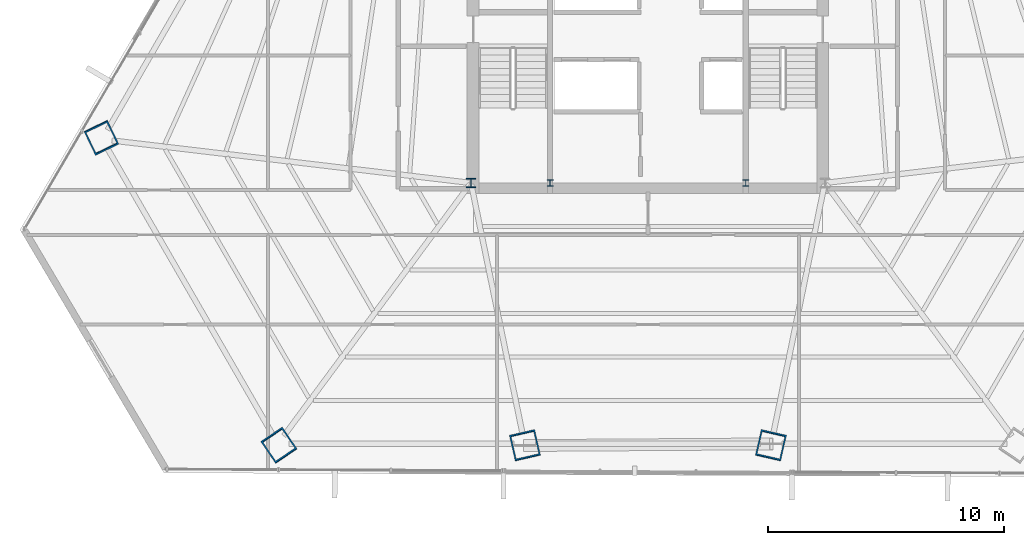
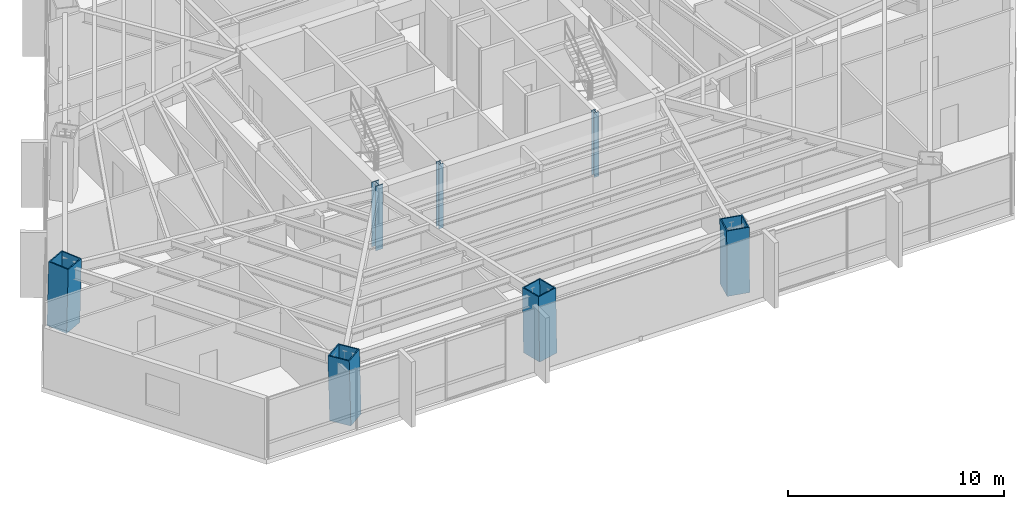
# One storey, part 1 of 37: 7 columns.
"""IFC4 building model written with IfcOpenShell, lengths in metres."""

from ifc_helpers import new_model, si_unit, direction, frame, origin, origin_2d, place, context, subcontext, project, spatial, hollow_rectangle, i_section, extrude, source, transform, mapped, material, material_profile, profile_set, type_object, type_shapes, element, save


model = new_model("IFC4")

# Units and contexts
model_context = context("Model", 3, precision=1e-05, world=origin(), true_north=direction((0.0, 1.0)))
body_context = subcontext(model_context, "Body", "Model", "MODEL_VIEW")
ifc_project = project(units=[si_unit("LENGTHUNIT", "METRE"), si_unit("AREAUNIT", "SQUARE_METRE"), si_unit("VOLUMEUNIT", "CUBIC_METRE"), si_unit("PLANEANGLEUNIT", "RADIAN"), si_unit("MASSUNIT", "GRAM", prefix="KILO")], contexts=[model_context])

# Site, building, storey
site_placement = place(None, origin())
site = spatial("IfcSite", under=ifc_project, at=site_placement, CompositionType="ELEMENT")
building_placement = place(site_placement, origin())
building = spatial("IfcBuilding", under=site, at=building_placement, Name="Caelisora Broadcast Tower", CompositionType="ELEMENT")
storey_placement = place(building_placement, frame((0.0, 0.0, 101.75)))
storey = spatial("IfcBuildingStorey", under=building, at=storey_placement, Name="L26", CompositionType="ELEMENT", Elevation=101.75)

# Columns
ifc_material_1 = material(Name="Steel Grade 350 (AS/NZS 3679.1)", Category="steel")
ifc_material_profile_1 = material_profile(ifc_material_1, i_section(OverallWidth=0.256103515625, OverallDepth=0.260009765625, WebThickness=0.010498046875, FlangeThickness=0.017333984375, at=origin_2d()), Name="Steel Grade 350 (AS/NZS 3679.1)")
ifc_profile_set_1 = profile_set([ifc_material_profile_1], Name="Steel Grade 350 (AS/NZS 3679.1)")
column_type_1 = type_object("IfcColumnType", Name="CC05", PredefinedType="COLUMN", material=ifc_profile_set_1)
shared_shape_1 = source(origin(), body_context, "Body", "SweptSolid", [
    extrude(i_section(OverallWidth=0.256103515625, OverallDepth=0.260009765625, WebThickness=0.010498046875, FlangeThickness=0.017333984375, at=origin_2d()), origin(), (0.0, 0.0, 1.0), 3.64990234375),
])
type_shapes(column_type_1, [shared_shape_1])
for number, where, z_axis, x_axis, name in (
    (1, (33.85009765625, 17.39990234375, 0.0), (0.0, 0.0, 1.0), (1.0, 0.0, 0.0), "L26 column CC05"),
    (2, (42.14990234375, 17.39990234375, 0.0), (0.0, 0.0, 1.0), (1.0, 0.0, 0.0), "L26 column CC05"),
):
    element("IfcColumn", number, at=place(storey_placement, frame(where, z_axis=z_axis, x_axis=x_axis)), inside=storey, type_object=column_type_1, Name=name, PredefinedType="COLUMN", context=body_context, shape_type="MappedRepresentation", body=[
        mapped(shared_shape_1, transform((0.0, 0.0, 0.0), scale=1.0)),
    ])
ifc_material_2 = material(Name="Steel Grade 350 (AS/NZS 3679.2)", Category="steel")
ifc_material_profile_2 = material_profile(ifc_material_2, i_section(OverallWidth=0.39990234375, OverallDepth=0.39990234375, WebThickness=0.02001953125, FlangeThickness=0.031982421875, at=origin_2d()), Name="Steel Grade 350 (AS/NZS 3679.2)")
ifc_profile_set_2 = profile_set([ifc_material_profile_2], Name="Steel Grade 350 (AS/NZS 3679.2)")
column_type_2 = type_object("IfcColumnType", Name="CC02", PredefinedType="COLUMN", material=ifc_profile_set_2)
shared_shape_2 = source(origin(), body_context, "Body", "SweptSolid", [
    extrude(i_section(OverallWidth=0.39990234375, OverallDepth=0.39990234375, WebThickness=0.02001953125, FlangeThickness=0.031982421875, at=origin_2d()), origin(), (0.0, 0.0, 1.0), 3.64990234375),
])
type_shapes(column_type_2, [shared_shape_2])
column_placement = place(storey_placement, frame((30.5, 17.39990234375, 0.0), z_axis=(0.0, 0.0, 1.0), x_axis=(1.0, 0.0, 0.0)))
element("IfcColumn", 3, at=column_placement, inside=storey, type_object=column_type_2, Name="L26 column CC02", PredefinedType="COLUMN", context=body_context, shape_type="MappedRepresentation", body=[
    mapped(shared_shape_2, transform((0.0, 0.0, 0.0), scale=1.0)),
])
ifc_material_3 = material(Name="Steel Grade 350 L15 (AS/NZS 3678)", Category="steel")
ifc_material_profile_3 = material_profile(ifc_material_3, hollow_rectangle(XDim=1.10009765625, YDim=1.10009765625, WallThickness=0.06005859375, at=origin_2d()), Name="Steel Grade 350 L15 (AS/NZS 3678)")
ifc_profile_set_3 = profile_set([ifc_material_profile_3], Name="Steel Grade 350 L15 (AS/NZS 3678)")
column_type_3 = type_object("IfcColumnType", Name="MC03", PredefinedType="COLUMN", material=ifc_profile_set_3)
shared_shape_3 = source(origin(), body_context, "Body", "SweptSolid", [
    extrude(hollow_rectangle(XDim=1.10009765625, YDim=1.10009765625, WallThickness=0.06005859375, at=origin_2d()), origin(), (0.0, 0.0, 1.0), 3.65087890625),
])
for number, where, z_axis, x_axis, name in (
    (4, (14.82861328125, 19.328857421875, 0.0), (0.010431780378, -0.021599135014, 0.999712286273), (0.900476348161, 0.434904985489, 0.0), "L26 column MC03"),
    (5, (22.368896484375, 6.268798828125, 0.0), (-0.013440967269, 0.019793663242, 0.999713734673), (-0.827290216258, -0.561774775229, 0.0), "L26 column MC03"),
):
    element("IfcColumn", number, at=place(storey_placement, frame(where, z_axis=z_axis, x_axis=x_axis)), inside=storey, type_object=column_type_3, Name=name, PredefinedType="COLUMN", context=body_context, shape_type="MappedRepresentation", body=[
        mapped(shared_shape_3, transform((0.0, 0.0, 0.0), scale=1.0)),
    ])
shared_shape_4 = source(origin(), body_context, "Body", "SweptSolid", [
    extrude(hollow_rectangle(XDim=1.10009765625, YDim=1.10009765625, WallThickness=0.06005859375, at=origin_2d()), origin(), (0.0, 0.0, 1.0), 3.650634765625),
])
type_shapes(column_type_3, [shared_shape_3, shared_shape_4])
for number, where, z_axis, x_axis, name in (
    (6, (32.789794921875, 6.268798828125, 0.0), (-0.004547556686, 0.019795246753, 0.99979371269), (-0.974612694662, -0.223897510936, 0.0), "L26 column MC03"),
    (7, (43.210205078125, 6.268798828125, 0.0), (0.004547556686, 0.019795246753, 0.99979371269), (-0.974612694662, 0.223897510936, 0.0), "L26 column MC03"),
):
    element("IfcColumn", number, at=place(storey_placement, frame(where, z_axis=z_axis, x_axis=x_axis)), inside=storey, type_object=column_type_3, Name=name, PredefinedType="COLUMN", context=body_context, shape_type="MappedRepresentation", body=[
        mapped(shared_shape_4, transform((0.0, 0.0, 0.0), scale=1.0)),
    ])

save(model, "model.ifc")
